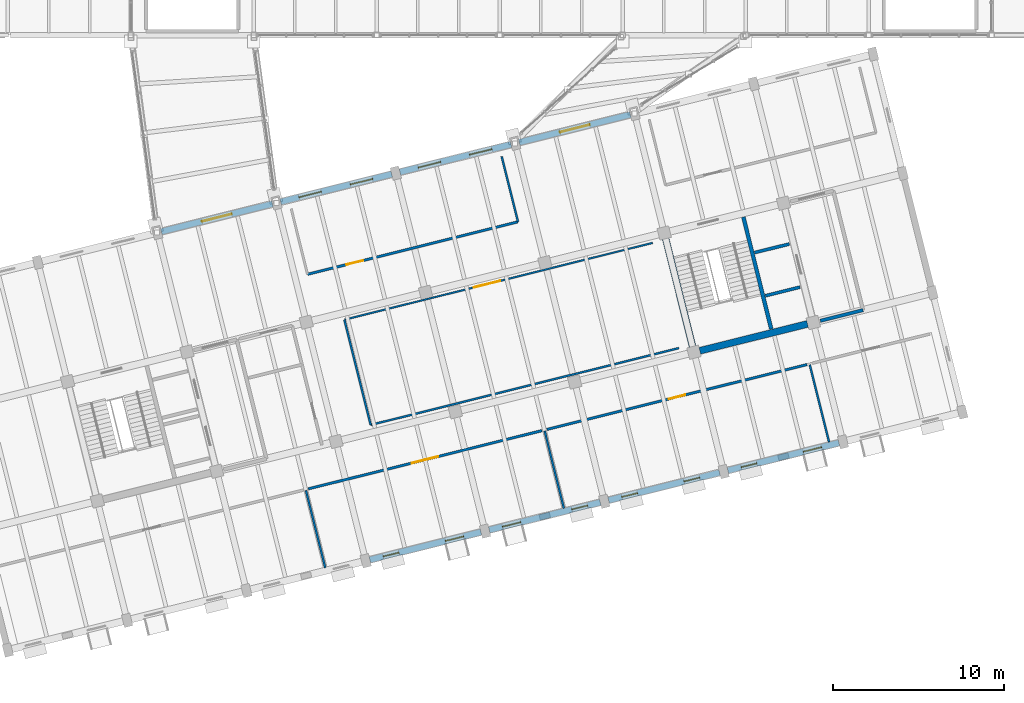
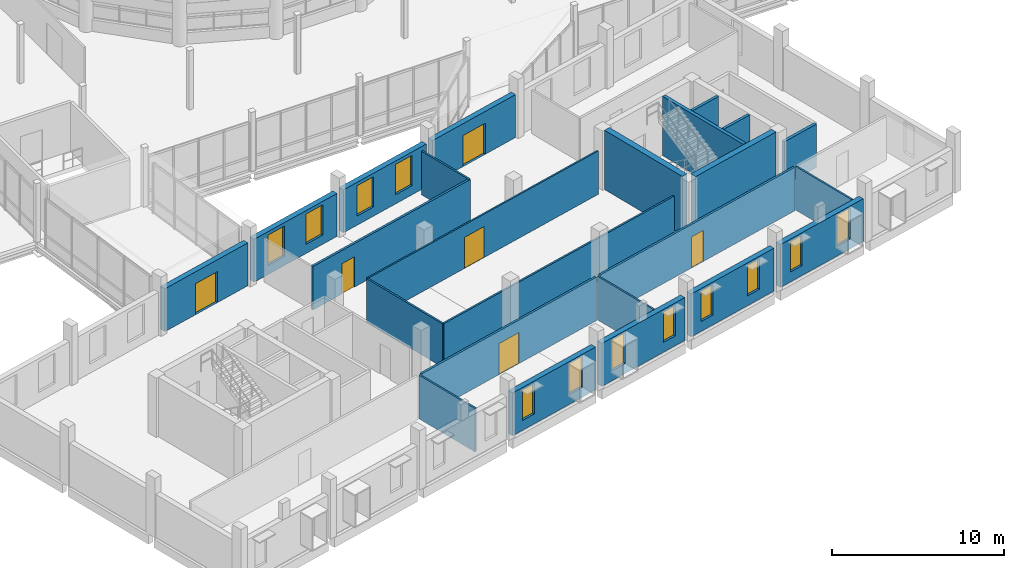
# One storey, part 47 of 63: 24 walls, 12 windows, 6 doors, 18 openings.
"""IFC4 building model written with IfcOpenShell, lengths in metres."""

from ifc_helpers import new_model, si_unit, direction, frame, frame_2d, origin, place, context, subcontext, project, spatial, rectangle, extrude, material, layer, layer_set, type_object, element, fill, save


model = new_model("IFC4")

# Units and contexts
model_context = context("Model", 3, precision=1e-05, world=origin(), true_north=direction((0.0, 1.0)))
body_context = subcontext(model_context, "Body", "Model", "MODEL_VIEW")
ifc_project = project(units=[si_unit("LENGTHUNIT", "METRE"), si_unit("AREAUNIT", "SQUARE_METRE"), si_unit("VOLUMEUNIT", "CUBIC_METRE"), si_unit("PLANEANGLEUNIT", "RADIAN"), si_unit("MASSUNIT", "GRAM", prefix="KILO")], contexts=[model_context])

# Site, building, storey
site_placement = place(None, origin())
site = spatial("IfcSite", under=ifc_project, at=site_placement, CompositionType="ELEMENT")
building_placement = place(site_placement, origin())
building = spatial("IfcBuilding", under=site, at=building_placement, Name="Qiaolan Assembly House", CompositionType="ELEMENT")
storey_placement = place(building_placement, frame((0.0, 0.0, 14.39990234375)))
storey = spatial("IfcBuildingStorey", under=building, at=storey_placement, Name="L03", CompositionType="ELEMENT", Elevation=14.39990234375)

# Walls
ifc_material_1 = material(Name="Concrete C45/55", Category="concrete")
ifc_layer_1 = layer(ifc_material_1, 0.39990234375)
ifc_layer_set_1 = layer_set([ifc_layer_1], Name="Concrete C45/55")
wall_type_1 = type_object("IfcWallType", Name="WAL-CORE-400", PredefinedType="SHEAR", material=ifc_layer_set_1)
for number, where, z_axis, x_axis, name in (
    (1, (76.5146484375, 17.521728515625, 0.0), (0.0, 0.0, 1.0), (0.970294759049, 0.241925774902, 0.0), "CW-400 shear core wall CORE-D S L03"),
    (2, (74.517822265625, 24.083740234375, 0.0), (0.0, 0.0, 1.0), (0.241925774902, -0.970294759049, 0.0), "CW-400 shear core wall CORE-D W L03"),
):
    element("IfcWall", number, at=place(storey_placement, frame(where, z_axis=z_axis, x_axis=x_axis)), inside=storey, type_object=wall_type_1, Name=name, PredefinedType="SHEAR", context=body_context, shape_type="SweptSolid", body=[
        extrude(rectangle(XDim=6.5, YDim=0.39990234375, at=frame_2d((3.25, 0.0))), origin(), (0.0, 0.0, 1.0), 4.2001953125),
    ])

# Wall, openings, windows
ifc_material_2 = material(Name="Honed pale limestone", Category="masonry")
ifc_layer_2 = layer(ifc_material_2, 0.360107421875)
ifc_layer_set_2 = layer_set([ifc_layer_2], Name="Honed pale limestone")
wall_type_2 = type_object("IfcWallType", Name="WAL-EXT-LIMESTONE-360", PredefinedType="SOLIDWALL", material=ifc_layer_set_2)
wall_1_placement = place(storey_placement, frame((57.198974609375, 5.285400390625, 0.0), z_axis=(0.0, 0.0, 1.0), x_axis=(0.970287992186, 0.241952913229, 0.0)))
wall_1 = element("IfcWall", 3, at=wall_1_placement, inside=storey, type_object=wall_type_2, Name="EW-360 SE South boulevard wall L03 bay 4", PredefinedType="SOLIDWALL", context=body_context, shape_type="SweptSolid", body=[
    extrude(rectangle(XDim=6.7041015625, YDim=0.360107421875, at=frame_2d((3.35205078125, 0.0))), origin(), (0.0, 0.0, 1.0), 3.0400390625),
])
opening_1_placement = place(wall_1_placement, frame((0.802001953125, 0.0, 0.699951171875)))
opening_1 = element("IfcOpeningElement", 4, at=opening_1_placement, cuts=wall_1, Name="Opening WN-316", PredefinedType="OPENING", context=body_context, shape_type="SweptSolid", body=[
    extrude(rectangle(XDim=0.949951171875, YDim=2.14990234375, at=frame_2d((0.47509765625, 1.074951171875))), frame((0.0, 0.18994140625, 0.0), z_axis=(0.0, -1.0, 0.0), x_axis=(1.0, 0.0, 0.0)), (0.0, 0.0, 1.0), 0.380126953125),
])
opening_2_placement = place(wall_1_placement, frame((4.552001953125, 0.0, 0.699951171875)))
opening_2 = element("IfcOpeningElement", 5, at=opening_2_placement, cuts=wall_1, Name="Opening WN-317", PredefinedType="OPENING", context=body_context, shape_type="SweptSolid", body=[
    extrude(rectangle(XDim=1.10009765625, YDim=2.18994140625, at=frame_2d((0.550048828125, 1.094970703125))), frame((0.0, 0.18994140625, 0.0), z_axis=(0.0, -1.0, 0.0), x_axis=(1.0, 0.0, 0.0)), (0.0, 0.0, 1.0), 0.380126953125),
])
ifc_material_3 = material(Name="Low-E double insulating glass", Category="glass")
window_type_1 = type_object("IfcWindowType", Name="WIN-BOX-1100x2350", PartitioningType="SINGLE_PANEL", PredefinedType="WINDOW", material=ifc_material_3)
window_1_placement = place(opening_2_placement, origin())
window_1 = element("IfcWindow", 6, at=window_1_placement, inside=storey, type_object=window_type_1, Name="WN-T11 splayed window WN-317", OverallHeight=2.18994140625, OverallWidth=1.10009765625, PartitioningType="SINGLE_PANEL", PredefinedType="WINDOW", context=body_context, shape_type="SweptSolid", body=[
    extrude(rectangle(XDim=1.10009765625, YDim=2.18994140625, at=frame_2d((0.550048828125, 1.094970703125))), frame((0.0, 0.030029296875, 0.0), z_axis=(0.0, -1.0, 0.0), x_axis=(1.0, 0.0, 0.0)), (0.0, 0.0, 1.0), 0.06005859375),
])
fill(opening_2, window_1)
window_type_2 = type_object("IfcWindowType", Name="WIN-PUNCH-950x2150", PartitioningType="SINGLE_PANEL", PredefinedType="WINDOW", material=ifc_material_3)
window_2_placement = place(opening_1_placement, origin())
window_2 = element("IfcWindow", 7, at=window_2_placement, inside=storey, type_object=window_type_2, Name="WN-T14 splayed window WN-316", OverallHeight=2.14990234375, OverallWidth=0.949951171875, PartitioningType="SINGLE_PANEL", PredefinedType="WINDOW", context=body_context, shape_type="SweptSolid", body=[
    extrude(rectangle(XDim=0.949951171875, YDim=2.14990234375, at=frame_2d((0.47509765625, 1.074951171875))), frame((0.0, 0.030029296875, 0.0), z_axis=(0.0, -1.0, 0.0), x_axis=(1.0, 0.0, 0.0)), (0.0, 0.0, 1.0), 0.06005859375),
])
fill(opening_1, window_2)

wall_2_placement = place(storey_placement, frame((64.18505859375, 7.02734375, 0.0), z_axis=(0.0, 0.0, 1.0), x_axis=(0.970296540998, 0.241918627903, 0.0)))
wall_2 = element("IfcWall", 8, at=wall_2_placement, inside=storey, type_object=wall_type_2, Name="EW-360 SE South boulevard wall L03 bay 5", PredefinedType="SOLIDWALL", context=body_context, shape_type="SweptSolid", body=[
    extrude(rectangle(XDim=6.7041015625, YDim=0.360107421875, at=frame_2d((3.35205078125, 0.0))), origin(), (0.0, 0.0, 1.0), 3.0400390625),
])
opening_3_placement = place(wall_2_placement, frame((0.802001953125, 0.0, 0.699951171875)))
opening_3 = element("IfcOpeningElement", 9, at=opening_3_placement, cuts=wall_2, Name="Opening WN-318", PredefinedType="OPENING", context=body_context, shape_type="SweptSolid", body=[
    extrude(rectangle(XDim=1.10009765625, YDim=2.18994140625, at=frame_2d((0.550048828125, 1.094970703125))), frame((0.0, 0.18994140625, 0.0), z_axis=(0.0, -1.0, 0.0), x_axis=(1.0, 0.0, 0.0)), (0.0, 0.0, 1.0), 0.380126953125),
])
opening_4_placement = place(wall_2_placement, frame((4.988037109375, 0.0, 0.699951171875)))
opening_4 = element("IfcOpeningElement", 10, at=opening_4_placement, cuts=wall_2, Name="Opening WN-319", PredefinedType="OPENING", context=body_context, shape_type="SweptSolid", body=[
    extrude(rectangle(XDim=0.949951171875, YDim=2.14990234375, at=frame_2d((0.47509765625, 1.074951171875))), frame((0.0, 0.18994140625, 0.0), z_axis=(0.0, -1.0, 0.0), x_axis=(1.0, 0.0, 0.0)), (0.0, 0.0, 1.0), 0.380126953125),
])
window_3_placement = place(opening_3_placement, origin())
window_3 = element("IfcWindow", 11, at=window_3_placement, inside=storey, type_object=window_type_1, Name="WN-T11 splayed window WN-318", OverallHeight=2.18994140625, OverallWidth=1.10009765625, PartitioningType="SINGLE_PANEL", PredefinedType="WINDOW", context=body_context, shape_type="SweptSolid", body=[
    extrude(rectangle(XDim=1.10009765625, YDim=2.18994140625, at=frame_2d((0.550048828125, 1.094970703125))), frame((0.0, 0.030029296875, 0.0), z_axis=(0.0, -1.0, 0.0), x_axis=(1.0, 0.0, 0.0)), (0.0, 0.0, 1.0), 0.06005859375),
])
fill(opening_3, window_3)
window_4_placement = place(opening_4_placement, origin())
window_4 = element("IfcWindow", 12, at=window_4_placement, inside=storey, type_object=window_type_2, Name="WN-T14 splayed window WN-319", OverallHeight=2.14990234375, OverallWidth=0.949951171875, PartitioningType="SINGLE_PANEL", PredefinedType="WINDOW", context=body_context, shape_type="SweptSolid", body=[
    extrude(rectangle(XDim=0.949951171875, YDim=2.14990234375, at=frame_2d((0.47509765625, 1.074951171875))), frame((0.0, 0.030029296875, 0.0), z_axis=(0.0, -1.0, 0.0), x_axis=(1.0, 0.0, 0.0)), (0.0, 0.0, 1.0), 0.06005859375),
])
fill(opening_4, window_4)

wall_3_placement = place(storey_placement, frame((71.17138671875, 8.769287109375, 0.0), z_axis=(0.0, 0.0, 1.0), x_axis=(0.97029440959, 0.241927176478, 0.0)))
wall_3 = element("IfcWall", 13, at=wall_3_placement, inside=storey, type_object=wall_type_2, Name="EW-360 SE South boulevard wall L03 bay 6", PredefinedType="SOLIDWALL", context=body_context, shape_type="SweptSolid", body=[
    extrude(rectangle(XDim=6.703857421875, YDim=0.360107421875, at=frame_2d((3.35205078125, 0.0))), origin(), (0.0, 0.0, 1.0), 3.0400390625),
])
opening_5_placement = place(wall_3_placement, frame((0.802001953125, 0.0, 0.699951171875)))
opening_5 = element("IfcOpeningElement", 14, at=opening_5_placement, cuts=wall_3, Name="Opening WN-320", PredefinedType="OPENING", context=body_context, shape_type="SweptSolid", body=[
    extrude(rectangle(XDim=0.949951171875, YDim=2.14990234375, at=frame_2d((0.47509765625, 1.074951171875))), frame((0.0, 0.18994140625, 0.0), z_axis=(0.0, -1.0, 0.0), x_axis=(1.0, 0.0, 0.0)), (0.0, 0.0, 1.0), 0.380126953125),
])
opening_6_placement = place(wall_3_placement, frame((4.552001953125, 0.0, 0.699951171875)))
opening_6 = element("IfcOpeningElement", 15, at=opening_6_placement, cuts=wall_3, Name="Opening WN-321", PredefinedType="OPENING", context=body_context, shape_type="SweptSolid", body=[
    extrude(rectangle(XDim=0.949951171875, YDim=2.14990234375, at=frame_2d((0.47509765625, 1.074951171875))), frame((0.0, 0.18994140625, 0.0), z_axis=(0.0, -1.0, 0.0), x_axis=(1.0, 0.0, 0.0)), (0.0, 0.0, 1.0), 0.380126953125),
])
window_5_placement = place(opening_5_placement, origin())
window_5 = element("IfcWindow", 16, at=window_5_placement, inside=storey, type_object=window_type_2, Name="WN-T14 splayed window WN-320", OverallHeight=2.14990234375, OverallWidth=0.949951171875, PartitioningType="SINGLE_PANEL", PredefinedType="WINDOW", context=body_context, shape_type="SweptSolid", body=[
    extrude(rectangle(XDim=0.949951171875, YDim=2.14990234375, at=frame_2d((0.47509765625, 1.074951171875))), frame((0.0, 0.030029296875, 0.0), z_axis=(0.0, -1.0, 0.0), x_axis=(1.0, 0.0, 0.0)), (0.0, 0.0, 1.0), 0.06005859375),
])
fill(opening_5, window_5)
window_6_placement = place(opening_6_placement, origin())
window_6 = element("IfcWindow", 17, at=window_6_placement, inside=storey, type_object=window_type_2, Name="WN-T14 splayed window WN-321", OverallHeight=2.14990234375, OverallWidth=0.949951171875, PartitioningType="SINGLE_PANEL", PredefinedType="WINDOW", context=body_context, shape_type="SweptSolid", body=[
    extrude(rectangle(XDim=0.949951171875, YDim=2.14990234375, at=frame_2d((0.47509765625, 1.074951171875))), frame((0.0, 0.030029296875, 0.0), z_axis=(0.0, -1.0, 0.0), x_axis=(1.0, 0.0, 0.0)), (0.0, 0.0, 1.0), 0.06005859375),
])
fill(opening_6, window_6)

wall_4_placement = place(storey_placement, frame((78.157470703125, 10.510986328125, 0.0), z_axis=(0.0, 0.0, 1.0), x_axis=(0.970296540998, 0.241918627903, 0.0)))
wall_4 = element("IfcWall", 18, at=wall_4_placement, inside=storey, type_object=wall_type_2, Name="EW-360 SE South boulevard wall L03 bay 7", PredefinedType="SOLIDWALL", context=body_context, shape_type="SweptSolid", body=[
    extrude(rectangle(XDim=6.7041015625, YDim=0.360107421875, at=frame_2d((3.35205078125, 0.0))), origin(), (0.0, 0.0, 1.0), 3.0400390625),
])
opening_7_placement = place(wall_4_placement, frame((0.802001953125, 0.0, 0.699951171875)))
opening_7 = element("IfcOpeningElement", 19, at=opening_7_placement, cuts=wall_4, Name="Opening WN-322", PredefinedType="OPENING", context=body_context, shape_type="SweptSolid", body=[
    extrude(rectangle(XDim=0.949951171875, YDim=2.14990234375, at=frame_2d((0.47509765625, 1.074951171875))), frame((0.0, 0.18994140625, 0.0), z_axis=(0.0, -1.0, 0.0), x_axis=(1.0, 0.0, 0.0)), (0.0, 0.0, 1.0), 0.380126953125),
])
opening_8_placement = place(wall_4_placement, frame((4.552001953125, 0.0, 0.699951171875)))
opening_8 = element("IfcOpeningElement", 20, at=opening_8_placement, cuts=wall_4, Name="Opening WN-323", PredefinedType="OPENING", context=body_context, shape_type="SweptSolid", body=[
    extrude(rectangle(XDim=1.10009765625, YDim=2.18994140625, at=frame_2d((0.550048828125, 1.094970703125))), frame((0.0, 0.18994140625, 0.0), z_axis=(0.0, -1.0, 0.0), x_axis=(1.0, 0.0, 0.0)), (0.0, 0.0, 1.0), 0.380126953125),
])
window_7_placement = place(opening_8_placement, origin())
window_7 = element("IfcWindow", 21, at=window_7_placement, inside=storey, type_object=window_type_1, Name="WN-T11 splayed window WN-323", OverallHeight=2.18994140625, OverallWidth=1.10009765625, PartitioningType="SINGLE_PANEL", PredefinedType="WINDOW", context=body_context, shape_type="SweptSolid", body=[
    extrude(rectangle(XDim=1.10009765625, YDim=2.18994140625, at=frame_2d((0.550048828125, 1.094970703125))), frame((0.0, 0.030029296875, 0.0), z_axis=(0.0, -1.0, 0.0), x_axis=(1.0, 0.0, 0.0)), (0.0, 0.0, 1.0), 0.06005859375),
])
fill(opening_8, window_7)
window_8_placement = place(opening_7_placement, origin())
window_8 = element("IfcWindow", 22, at=window_8_placement, inside=storey, type_object=window_type_2, Name="WN-T14 splayed window WN-322", OverallHeight=2.14990234375, OverallWidth=0.949951171875, PartitioningType="SINGLE_PANEL", PredefinedType="WINDOW", context=body_context, shape_type="SweptSolid", body=[
    extrude(rectangle(XDim=0.949951171875, YDim=2.14990234375, at=frame_2d((0.47509765625, 1.074951171875))), frame((0.0, 0.030029296875, 0.0), z_axis=(0.0, -1.0, 0.0), x_axis=(1.0, 0.0, 0.0)), (0.0, 0.0, 1.0), 0.06005859375),
])
fill(opening_7, window_8)

# Wall, opening, door
wall_5_placement = place(storey_placement, frame((51.4921875, 26.1240234375, 0.0), z_axis=(0.0, 0.0, 1.0), x_axis=(-0.970287992186, -0.241952913229, 0.0)))
wall_5 = element("IfcWall", 23, at=wall_5_placement, inside=storey, type_object=wall_type_2, Name="EW-360 SE North court wall L03 bay 3", PredefinedType="SOLIDWALL", context=body_context, shape_type="SweptSolid", body=[
    extrude(rectangle(XDim=6.7041015625, YDim=0.360107421875, at=frame_2d((3.35205078125, 0.0))), origin(), (0.0, 0.0, 1.0), 3.0400390625),
])
opening_9_placement = place(wall_5_placement, frame((2.451904296875, 0.0, 0.0)))
opening_9 = element("IfcOpeningElement", 24, at=opening_9_placement, cuts=wall_5, Name="Opening BD-020", PredefinedType="OPENING", context=body_context, shape_type="SweptSolid", body=[
    extrude(rectangle(XDim=1.800048828125, YDim=2.199951171875, at=frame_2d((0.89990234375, 1.10009765625))), frame((0.0, 0.18994140625, 0.0), z_axis=(0.0, -1.0, 0.0), x_axis=(1.0, 0.0, 0.0)), (0.0, 0.0, 1.0), 0.380126953125),
])
ifc_material_4 = material(Name="Anodised bronze aluminium", Category="aluminium")
door_type_1 = type_object("IfcDoorType", Name="DOR-CORR-DBL-1800", OperationType="DOUBLE_DOOR_SINGLE_SWING", PredefinedType="DOOR", material=ifc_material_4)
door_1_placement = place(opening_9_placement, origin())
door_1 = element("IfcDoor", 25, at=door_1_placement, inside=storey, type_object=door_type_1, Name="SE Wing court/bridge portal BD-020", OperationType="DOUBLE_DOOR_SINGLE_SWING", OverallHeight=2.199951171875, OverallWidth=1.800048828125, PredefinedType="DOOR", context=body_context, shape_type="SweptSolid", body=[
    extrude(rectangle(XDim=1.800048828125, YDim=2.199951171875, at=frame_2d((0.89990234375, 1.10009765625))), frame((0.0, 0.02490234375, 0.0), z_axis=(0.0, -1.0, 0.0), x_axis=(1.0, 0.0, 0.0)), (0.0, 0.0, 1.0), 0.050048828125),
])
fill(opening_9, door_1)

# Wall, openings, windows
wall_6_placement = place(storey_placement, frame((58.478271484375, 27.86572265625, 0.0), z_axis=(0.0, 0.0, 1.0), x_axis=(-0.970296540998, -0.241918627903, 0.0)))
wall_6 = element("IfcWall", 26, at=wall_6_placement, inside=storey, type_object=wall_type_2, Name="EW-360 SE North court wall L03 bay 4", PredefinedType="SOLIDWALL", context=body_context, shape_type="SweptSolid", body=[
    extrude(rectangle(XDim=6.7041015625, YDim=0.360107421875, at=frame_2d((3.35205078125, 0.0))), origin(), (0.0, 0.0, 1.0), 3.0400390625),
])
opening_10_placement = place(wall_6_placement, frame((1.152099609375, 0.0, 0.64990234375)))
opening_10 = element("IfcOpeningElement", 27, at=opening_10_placement, cuts=wall_6, Name="Opening WN-330", PredefinedType="OPENING", context=body_context, shape_type="SweptSolid", body=[
    extrude(rectangle(XDim=1.35009765625, YDim=2.14990234375, at=frame_2d((0.675048828125, 1.074951171875))), frame((0.0, 0.18994140625, 0.0), z_axis=(0.0, -1.0, 0.0), x_axis=(1.0, 0.0, 0.0)), (0.0, 0.0, 1.0), 0.380126953125),
])
opening_11_placement = place(wall_6_placement, frame((4.251953125, 0.0, 0.64990234375)))
opening_11 = element("IfcOpeningElement", 28, at=opening_11_placement, cuts=wall_6, Name="Opening WN-331", PredefinedType="OPENING", context=body_context, shape_type="SweptSolid", body=[
    extrude(rectangle(XDim=1.35009765625, YDim=2.14990234375, at=frame_2d((0.675048828125, 1.074951171875))), frame((0.0, 0.18994140625, 0.0), z_axis=(0.0, -1.0, 0.0), x_axis=(1.0, 0.0, 0.0)), (0.0, 0.0, 1.0), 0.380126953125),
])
window_type_3 = type_object("IfcWindowType", Name="WIN-COURT-1350x2150", PartitioningType="DOUBLE_PANEL_VERTICAL", PredefinedType="WINDOW", material=ifc_material_3)
window_9_placement = place(opening_10_placement, origin())
window_9 = element("IfcWindow", 29, at=window_9_placement, inside=storey, type_object=window_type_3, Name="SE court window WN-330", OverallHeight=2.14990234375, OverallWidth=1.35009765625, PartitioningType="DOUBLE_PANEL_VERTICAL", PredefinedType="WINDOW", context=body_context, shape_type="SweptSolid", body=[
    extrude(rectangle(XDim=1.35009765625, YDim=2.14990234375, at=frame_2d((0.675048828125, 1.074951171875))), frame((0.0, 0.030029296875, 0.0), z_axis=(0.0, -1.0, 0.0), x_axis=(1.0, 0.0, 0.0)), (0.0, 0.0, 1.0), 0.06005859375),
])
fill(opening_10, window_9)
window_10_placement = place(opening_11_placement, origin())
window_10 = element("IfcWindow", 30, at=window_10_placement, inside=storey, type_object=window_type_3, Name="SE court window WN-331", OverallHeight=2.14990234375, OverallWidth=1.35009765625, PartitioningType="DOUBLE_PANEL_VERTICAL", PredefinedType="WINDOW", context=body_context, shape_type="SweptSolid", body=[
    extrude(rectangle(XDim=1.35009765625, YDim=2.14990234375, at=frame_2d((0.675048828125, 1.074951171875))), frame((0.0, 0.030029296875, 0.0), z_axis=(0.0, -1.0, 0.0), x_axis=(1.0, 0.0, 0.0)), (0.0, 0.0, 1.0), 0.06005859375),
])
fill(opening_11, window_10)

wall_7_placement = place(storey_placement, frame((65.464599609375, 29.607666015625, 0.0), z_axis=(0.0, 0.0, 1.0), x_axis=(-0.970296540998, -0.241918627903, 0.0)))
wall_7 = element("IfcWall", 31, at=wall_7_placement, inside=storey, type_object=wall_type_2, Name="EW-360 SE North court wall L03 bay 5", PredefinedType="SOLIDWALL", context=body_context, shape_type="SweptSolid", body=[
    extrude(rectangle(XDim=6.7041015625, YDim=0.360107421875, at=frame_2d((3.35205078125, 0.0))), origin(), (0.0, 0.0, 1.0), 3.0400390625),
])
opening_12_placement = place(wall_7_placement, frame((1.152099609375, 0.0, 0.64990234375)))
opening_12 = element("IfcOpeningElement", 32, at=opening_12_placement, cuts=wall_7, Name="Opening WN-332", PredefinedType="OPENING", context=body_context, shape_type="SweptSolid", body=[
    extrude(rectangle(XDim=1.35009765625, YDim=2.14990234375, at=frame_2d((0.675048828125, 1.074951171875))), frame((0.0, 0.18994140625, 0.0), z_axis=(0.0, -1.0, 0.0), x_axis=(1.0, 0.0, 0.0)), (0.0, 0.0, 1.0), 0.380126953125),
])
opening_13_placement = place(wall_7_placement, frame((4.251953125, 0.0, 0.64990234375)))
opening_13 = element("IfcOpeningElement", 33, at=opening_13_placement, cuts=wall_7, Name="Opening WN-333", PredefinedType="OPENING", context=body_context, shape_type="SweptSolid", body=[
    extrude(rectangle(XDim=1.35009765625, YDim=2.14990234375, at=frame_2d((0.675048828125, 1.074951171875))), frame((0.0, 0.18994140625, 0.0), z_axis=(0.0, -1.0, 0.0), x_axis=(1.0, 0.0, 0.0)), (0.0, 0.0, 1.0), 0.380126953125),
])
window_11_placement = place(opening_12_placement, origin())
window_11 = element("IfcWindow", 34, at=window_11_placement, inside=storey, type_object=window_type_3, Name="SE court window WN-332", OverallHeight=2.14990234375, OverallWidth=1.35009765625, PartitioningType="DOUBLE_PANEL_VERTICAL", PredefinedType="WINDOW", context=body_context, shape_type="SweptSolid", body=[
    extrude(rectangle(XDim=1.35009765625, YDim=2.14990234375, at=frame_2d((0.675048828125, 1.074951171875))), frame((0.0, 0.030029296875, 0.0), z_axis=(0.0, -1.0, 0.0), x_axis=(1.0, 0.0, 0.0)), (0.0, 0.0, 1.0), 0.06005859375),
])
fill(opening_12, window_11)
window_12_placement = place(opening_13_placement, origin())
window_12 = element("IfcWindow", 35, at=window_12_placement, inside=storey, type_object=window_type_3, Name="SE court window WN-333", OverallHeight=2.14990234375, OverallWidth=1.35009765625, PartitioningType="DOUBLE_PANEL_VERTICAL", PredefinedType="WINDOW", context=body_context, shape_type="SweptSolid", body=[
    extrude(rectangle(XDim=1.35009765625, YDim=2.14990234375, at=frame_2d((0.675048828125, 1.074951171875))), frame((0.0, 0.030029296875, 0.0), z_axis=(0.0, -1.0, 0.0), x_axis=(1.0, 0.0, 0.0)), (0.0, 0.0, 1.0), 0.06005859375),
])
fill(opening_13, window_12)

# Wall, opening, door
wall_8_placement = place(storey_placement, frame((72.45068359375, 31.349365234375, 0.0), z_axis=(0.0, 0.0, 1.0), x_axis=(-0.970296540998, -0.241918627903, 0.0)))
wall_8 = element("IfcWall", 36, at=wall_8_placement, inside=storey, type_object=wall_type_2, Name="EW-360 SE North court wall L03 bay 6", PredefinedType="SOLIDWALL", context=body_context, shape_type="SweptSolid", body=[
    extrude(rectangle(XDim=6.7041015625, YDim=0.360107421875, at=frame_2d((3.35205078125, 0.0))), origin(), (0.0, 0.0, 1.0), 3.0400390625),
])
opening_14_placement = place(wall_8_placement, frame((2.451904296875, 0.0, 0.0)))
opening_14 = element("IfcOpeningElement", 37, at=opening_14_placement, cuts=wall_8, Name="Opening BD-021", PredefinedType="OPENING", context=body_context, shape_type="SweptSolid", body=[
    extrude(rectangle(XDim=1.800048828125, YDim=2.199951171875, at=frame_2d((0.89990234375, 1.10009765625))), frame((0.0, 0.18994140625, 0.0), z_axis=(0.0, -1.0, 0.0), x_axis=(1.0, 0.0, 0.0)), (0.0, 0.0, 1.0), 0.380126953125),
])
door_2_placement = place(opening_14_placement, origin())
door_2 = element("IfcDoor", 38, at=door_2_placement, inside=storey, type_object=door_type_1, Name="SE Wing court/bridge portal BD-021", OperationType="DOUBLE_DOOR_SINGLE_SWING", OverallHeight=2.199951171875, OverallWidth=1.800048828125, PredefinedType="DOOR", context=body_context, shape_type="SweptSolid", body=[
    extrude(rectangle(XDim=1.800048828125, YDim=2.199951171875, at=frame_2d((0.89990234375, 1.10009765625))), frame((0.0, 0.02490234375, 0.0), z_axis=(0.0, -1.0, 0.0), x_axis=(1.0, 0.0, 0.0)), (0.0, 0.0, 1.0), 0.050048828125),
])
fill(opening_14, door_2)

# Walls
ifc_material_5 = material(Name="Concrete C35/45", Category="concrete")
ifc_layer_3 = layer(ifc_material_5, 0.199951171875)
ifc_layer_set_3 = layer_set([ifc_layer_3], Name="Concrete C35/45")
wall_type_3 = type_object("IfcWallType", Name="WAL-LOBBY-200", PredefinedType="PARTITIONING", material=ifc_layer_set_3)
wall_9_placement = place(storey_placement, frame((83.568603515625, 19.280517578125, 0.0), z_axis=(0.0, 0.0, 1.0), x_axis=(0.970287048366, 0.241956698135, 0.0)))
element("IfcWall", 39, at=wall_9_placement, inside=storey, type_object=wall_type_3, Name="Firefighting lift lobby south wall CORE-D L03", PredefinedType="PARTITIONING", context=body_context, shape_type="SweptSolid", body=[
    extrude(rectangle(XDim=2.580078125, YDim=0.199951171875, at=frame_2d((1.2900390625, 0.0))), origin(), (0.0, 0.0, 1.0), 3.080078125),
])
ifc_material_6 = material(Name="Gypsum plasterboard partition")
ifc_layer_4 = layer(ifc_material_6, 0.1201171875)
ifc_layer_set_4 = layer_set([ifc_layer_4], Name="Gypsum plasterboard partition")
wall_type_4 = type_object("IfcWallType", Name="WAL-PART-120", PredefinedType="PARTITIONING", material=ifc_layer_set_4)
for number, where, z_axis, x_axis, name in (
    (40, (54.586181640625, 4.819580078125, 0.0), (0.0, 0.0, 1.0), (-0.241945139998, 0.970289930501, 0.0), "Public Health Emergency Coordination Room demising wall"),
    (41, (68.558349609375, 8.30322265625, 0.0), (0.0, 0.0, 1.0), (-0.241895920765, 0.97030220216, 0.0), "Municipal Education & Youth Bureau demising wall"),
    (42, (84.0830078125, 12.174072265625, 0.0), (0.0, 0.0, 1.0), (-0.241895920765, 0.97030220216, 0.0), "Departmental Server & Comms Closet demising wall"),
):
    element("IfcWall", number, at=place(storey_placement, frame(where, z_axis=z_axis, x_axis=x_axis)), inside=storey, type_object=wall_type_4, Name=name, PredefinedType="PARTITIONING", context=body_context, shape_type="SweptSolid", body=[
        extrude(rectangle(XDim=4.669921875, YDim=0.1201171875, at=frame_2d((2.3349609375, 0.0))), origin(), (0.0, 0.0, 1.0), 3.080078125),
    ])
wall_10_placement = place(storey_placement, frame((57.242431640625, 13.180419921875, 0.0), z_axis=(0.0, 0.0, 1.0), x_axis=(0.970295185925, 0.24192406282, 0.0)))
element("IfcWall", 43, at=wall_10_placement, inside=storey, type_object=wall_type_4, Name="Municipal Policy Coordination Studio south partition", PredefinedType="PARTITIONING", context=body_context, shape_type="SweptSolid", body=[
    extrude(rectangle(XDim=18.599853515625, YDim=0.1201171875, at=frame_2d((9.2998046875, 0.0))), origin(), (0.0, 0.0, 1.0), 3.080078125),
])
wall_11_placement = place(storey_placement, frame((57.242431640625, 13.180419921875, 0.0), z_axis=(0.0, 0.0, 1.0), x_axis=(-0.241947566099, 0.970289325541, 0.0)))
element("IfcWall", 44, at=wall_11_placement, inside=storey, type_object=wall_type_4, Name="Municipal Policy Coordination Studio west partition", PredefinedType="PARTITIONING", context=body_context, shape_type="SweptSolid", body=[
    extrude(rectangle(XDim=6.35009765625, YDim=0.1201171875, at=frame_2d((3.175048828125, 0.0))), origin(), (0.0, 0.0, 1.0), 3.080078125),
])
wall_12_placement = place(storey_placement, frame((64.91650390625, 28.904052734375, 0.0), z_axis=(0.0, 0.0, 1.0), x_axis=(0.241924747697, -0.970295015164, 0.0)))
element("IfcWall", 45, at=wall_12_placement, inside=storey, type_object=wall_type_4, Name="Court Outlook Consultation Suite L03 east wall", PredefinedType="PARTITIONING", context=body_context, shape_type="SweptSolid", body=[
    extrude(rectangle(XDim=3.949951171875, YDim=0.1201171875, at=frame_2d((1.97509765625, 0.0))), origin(), (0.0, 0.0, 1.0), 3.080078125),
])

# Wall, opening, door
ifc_layer_5 = layer(ifc_material_6, 0.14990234375)
ifc_layer_set_5 = layer_set([ifc_layer_5], Name="Gypsum plasterboard partition")
wall_type_5 = type_object("IfcWallType", Name="WAL-PART-150", PredefinedType="PARTITIONING", material=ifc_layer_set_5)
wall_13_placement = place(storey_placement, frame((53.58984375, 9.435546875, 0.0), z_axis=(0.0, 0.0, 1.0), x_axis=(0.970295086625, 0.241924461086, 0.0)))
wall_13 = element("IfcWall", 46, at=wall_13_placement, inside=storey, type_object=wall_type_5, Name="Public Health Emergency Coordination Room north wall", PredefinedType="PARTITIONING", context=body_context, shape_type="SweptSolid", body=[
    extrude(rectangle(XDim=14.10009765625, YDim=0.14990234375, at=frame_2d((7.050048828125, 0.0))), origin(), (0.0, 0.0, 1.0), 3.080078125),
])
opening_15_placement = place(wall_13_placement, frame((6.25, 0.0, 0.0)))
opening_15 = element("IfcOpeningElement", 47, at=opening_15_placement, cuts=wall_13, Name="Opening SD-256", PredefinedType="OPENING", context=body_context, shape_type="SweptSolid", body=[
    extrude(rectangle(XDim=1.60009765625, YDim=2.199951171875, at=frame_2d((0.800048828125, 1.10009765625))), frame((0.0, 0.0849609375, 0.0), z_axis=(0.0, -1.0, 0.0), x_axis=(1.0, 0.0, 0.0)), (0.0, 0.0, 1.0), 0.169921875),
])
ifc_material_7 = material(Name="Acoustic oak panelling")
door_type_2 = type_object("IfcDoorType", Name="DOR-COMM-DBL-1600", OperationType="DOUBLE_DOOR_SINGLE_SWING", PredefinedType="DOOR", material=ifc_material_7)
door_3_placement = place(opening_15_placement, origin())
door_3 = element("IfcDoor", 48, at=door_3_placement, inside=storey, type_object=door_type_2, Name="Public Health Emergency Coordination Room door SD-256", OperationType="DOUBLE_DOOR_SINGLE_SWING", OverallHeight=2.199951171875, OverallWidth=1.60009765625, PredefinedType="DOOR", context=body_context, shape_type="SweptSolid", body=[
    extrude(rectangle(XDim=1.60009765625, YDim=2.199951171875, at=frame_2d((0.800048828125, 1.10009765625))), frame((0.0, 0.02490234375, 0.0), z_axis=(0.0, -1.0, 0.0), x_axis=(1.0, 0.0, 0.0)), (0.0, 0.0, 1.0), 0.050048828125),
])
fill(opening_15, door_3)

wall_14_placement = place(storey_placement, frame((67.56201171875, 12.91943359375, 0.0), z_axis=(0.0, 0.0, 1.0), x_axis=(0.970296892124, 0.24191721959, 0.0)))
wall_14 = element("IfcWall", 49, at=wall_14_placement, inside=storey, type_object=wall_type_5, Name="Municipal Education & Youth Bureau north wall", PredefinedType="PARTITIONING", context=body_context, shape_type="SweptSolid", body=[
    extrude(rectangle(XDim=15.699951171875, YDim=0.14990234375, at=frame_2d((7.85009765625, 0.0))), origin(), (0.0, 0.0, 1.0), 3.080078125),
])
opening_16_placement = place(wall_14_placement, frame((7.35009765625, 0.0, 0.0)))
opening_16 = element("IfcOpeningElement", 50, at=opening_16_placement, cuts=wall_14, Name="Opening SD-257", PredefinedType="OPENING", context=body_context, shape_type="SweptSolid", body=[
    extrude(rectangle(XDim=1.0, YDim=2.199951171875, at=frame_2d((0.5, 1.10009765625))), frame((0.0, 0.0849609375, 0.0), z_axis=(0.0, -1.0, 0.0), x_axis=(1.0, 0.0, 0.0)), (0.0, 0.0, 1.0), 0.169921875),
])
door_type_3 = type_object("IfcDoorType", Name="DOR-OFF-SGL-1000", OperationType="NOTDEFINED", PredefinedType="DOOR", material=ifc_material_7)
door_4_placement = place(opening_16_placement, origin())
door_4 = element("IfcDoor", 51, at=door_4_placement, inside=storey, type_object=door_type_3, Name="Municipal Education & Youth Bureau door SD-257", OperationType="SINGLE_SWING_RIGHT", OverallHeight=2.199951171875, OverallWidth=1.0, PredefinedType="DOOR", context=body_context, shape_type="SweptSolid", body=[
    extrude(rectangle(XDim=1.0, YDim=2.199951171875, at=frame_2d((0.5, 1.10009765625))), frame((0.0, 0.02490234375, 0.0), z_axis=(0.0, -1.0, 0.0), x_axis=(1.0, 0.0, 0.0)), (0.0, 0.0, 1.0), 0.050048828125),
])
fill(opening_16, door_4)

wall_15_placement = place(storey_placement, frame((53.54931640625, 21.9990234375, 0.0), z_axis=(0.0, 0.0, 1.0), x_axis=(0.970293838297, 0.241929467745, 0.0)))
wall_15 = element("IfcWall", 52, at=wall_15_placement, inside=storey, type_object=wall_type_5, Name="Court Outlook Consultation Suite L03 south wall", PredefinedType="PARTITIONING", context=body_context, shape_type="SweptSolid", body=[
    extrude(rectangle(XDim=12.699951171875, YDim=0.14990234375, at=frame_2d((6.35009765625, 0.0))), origin(), (0.0, 0.0, 1.0), 3.080078125),
])
opening_17_placement = place(wall_15_placement, frame((2.35009765625, 0.0, 0.0)))
opening_17 = element("IfcOpeningElement", 53, at=opening_17_placement, cuts=wall_15, Name="Opening SD-260", PredefinedType="OPENING", context=body_context, shape_type="SweptSolid", body=[
    extrude(rectangle(XDim=1.0, YDim=2.14990234375, at=frame_2d((0.5, 1.074951171875))), frame((0.0, 0.0849609375, 0.0), z_axis=(0.0, -1.0, 0.0), x_axis=(1.0, 0.0, 0.0)), (0.0, 0.0, 1.0), 0.169921875),
])
door_5_placement = place(opening_17_placement, origin())
door_5 = element("IfcDoor", 54, at=door_5_placement, inside=storey, type_object=door_type_3, Name="Court Outlook Consultation Suite L03 door SD-260", OperationType="SINGLE_SWING_RIGHT", OverallHeight=2.14990234375, OverallWidth=1.0, PredefinedType="DOOR", context=body_context, shape_type="SweptSolid", body=[
    extrude(rectangle(XDim=1.0, YDim=2.14990234375, at=frame_2d((0.5, 1.074951171875))), frame((0.0, 0.02490234375, 0.0), z_axis=(0.0, -1.0, 0.0), x_axis=(1.0, 0.0, 0.0)), (0.0, 0.0, 1.0), 0.050048828125),
])
fill(opening_17, door_5)

ifc_layer_6 = layer(ifc_material_3, 0.10498046875)
ifc_layer_set_6 = layer_set([ifc_layer_6], Name="Low-E double insulating glass")
wall_type_6 = type_object("IfcWallType", Name="WAL-PART-GLAZED-120", PredefinedType="PARTITIONING", material=ifc_layer_set_6)
wall_16_placement = place(storey_placement, frame((73.753662109375, 23.841552734375, 0.0), z_axis=(0.0, 0.0, 1.0), x_axis=(-0.970295954135, -0.241920981706, 0.0)))
wall_16 = element("IfcWall", 55, at=wall_16_placement, inside=storey, type_object=wall_type_6, Name="Municipal Policy Coordination Studio glazed partition", PredefinedType="PARTITIONING", context=body_context, shape_type="SweptSolid", body=[
    extrude(rectangle(XDim=18.60009765625, YDim=0.10498046875, at=frame_2d((9.300048828125, 0.0))), origin(), (0.0, 0.0, 1.0), 3.080078125),
])
opening_18_placement = place(wall_16_placement, frame((9.199951171875, 0.0, 0.0)))
opening_18 = element("IfcOpeningElement", 56, at=opening_18_placement, cuts=wall_16, Name="Opening SD-259", PredefinedType="OPENING", context=body_context, shape_type="SweptSolid", body=[
    extrude(rectangle(XDim=1.60009765625, YDim=2.199951171875, at=frame_2d((0.800048828125, 1.10009765625))), frame((0.0, 0.0625, 0.0), z_axis=(0.0, -1.0, 0.0), x_axis=(1.0, 0.0, 0.0)), (0.0, 0.0, 1.0), 0.125),
])
door_6_placement = place(opening_18_placement, origin())
door_6 = element("IfcDoor", 57, at=door_6_placement, inside=storey, type_object=door_type_2, Name="Municipal Policy Coordination Studio door SD-259", OperationType="DOUBLE_DOOR_SINGLE_SWING", OverallHeight=2.199951171875, OverallWidth=1.60009765625, PredefinedType="DOOR", context=body_context, shape_type="SweptSolid", body=[
    extrude(rectangle(XDim=1.60009765625, YDim=2.199951171875, at=frame_2d((0.800048828125, 1.10009765625))), frame((0.0, 0.02490234375, 0.0), z_axis=(0.0, -1.0, 0.0), x_axis=(1.0, 0.0, 0.0)), (0.0, 0.0, 1.0), 0.050048828125),
])
fill(opening_18, door_6)

# Walls
ifc_layer_7 = layer(ifc_material_5, 0.18505859375)
ifc_layer_set_7 = layer_set([ifc_layer_7], Name="Concrete C35/45")
wall_type_7 = type_object("IfcWallType", Name="WAL-SHAFT-200", PredefinedType="PARTITIONING", material=ifc_layer_set_7)
for number, where, z_axis, x_axis, name in (
    (58, (80.3486328125, 20.7451171875, 0.0), (0.0, 0.0, 1.0), (0.970292765557, 0.241933770084, 0.0), "SW-200 lift shaft wall LF-08 L03 DIVS"),
    (59, (79.7197265625, 23.267822265625, 0.0), (0.0, 0.0, 1.0), (0.970292765557, 0.241933770084, 0.0), "SW-200 lift shaft wall LF-08 L03 DIVN"),
):
    element("IfcWall", number, at=place(storey_placement, frame(where, z_axis=z_axis, x_axis=x_axis)), inside=storey, type_object=wall_type_7, Name=name, PredefinedType="PARTITIONING", context=body_context, shape_type="SweptSolid", body=[
        extrude(rectangle(XDim=2.10009765625, YDim=0.18505859375, at=frame_2d((1.050048828125, 0.0))), origin(), (0.0, 0.0, 1.0), 4.2001953125),
    ])
ifc_material_8 = material(Name="Concrete C40/50", Category="concrete")
ifc_layer_8 = layer(ifc_material_8, 0.22509765625)
ifc_layer_set_8 = layer_set([ifc_layer_8], Name="Concrete C40/50")
wall_type_8 = type_object("IfcWallType", Name="WAL-STAIR-DIV-225", PredefinedType="SHEAR", material=ifc_layer_set_8)
wall_17_placement = place(storey_placement, frame((80.701416015625, 18.79248046875, 0.0), z_axis=(0.0, 0.0, 1.0), x_axis=(-0.241898249226, 0.970301621673, 0.0)))
element("IfcWall", 60, at=wall_17_placement, inside=storey, type_object=wall_type_8, Name="SDW-225 stairwell structural spine wall CORE-D L03", PredefinedType="SHEAR", context=body_context, shape_type="SweptSolid", body=[
    extrude(rectangle(XDim=6.760009765625, YDim=0.22509765625, at=frame_2d((3.3798828125, 0.0))), origin(), (0.0, 0.0, 1.0), 4.2001953125),
])

save(model, "model.ifc")
